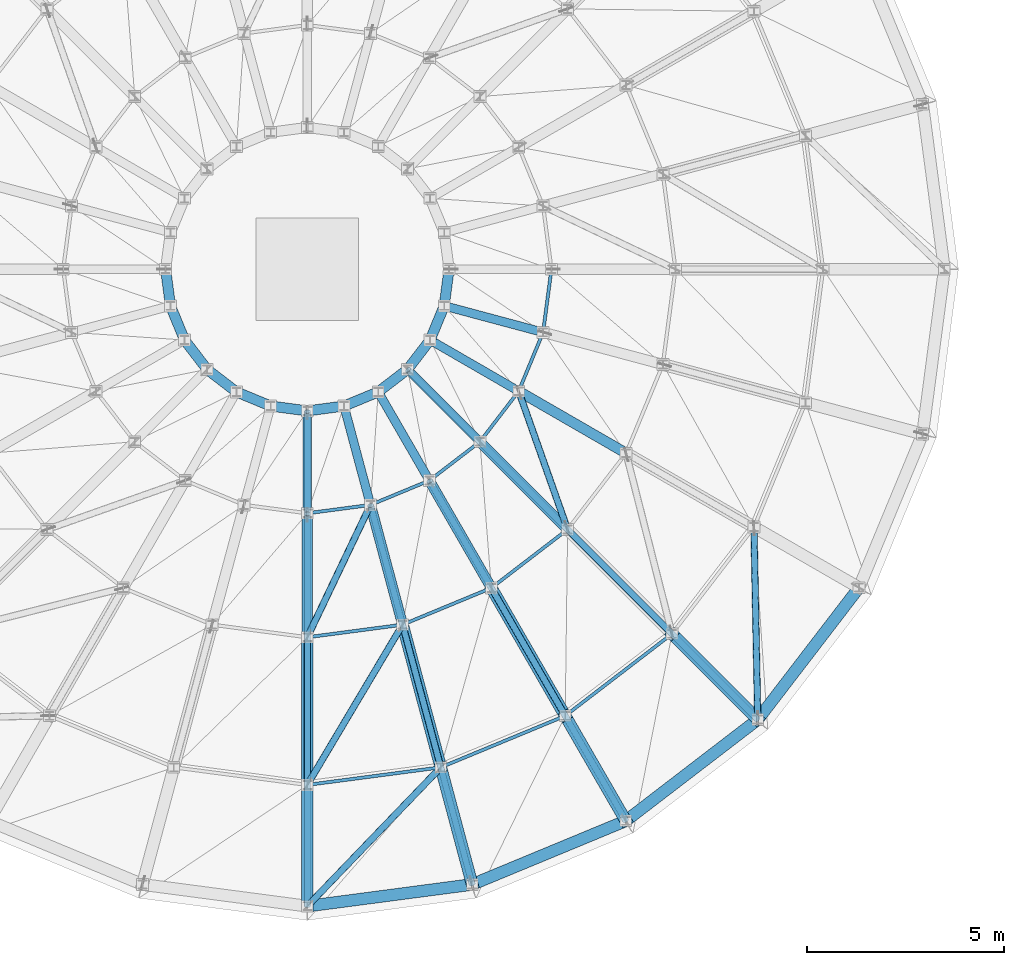
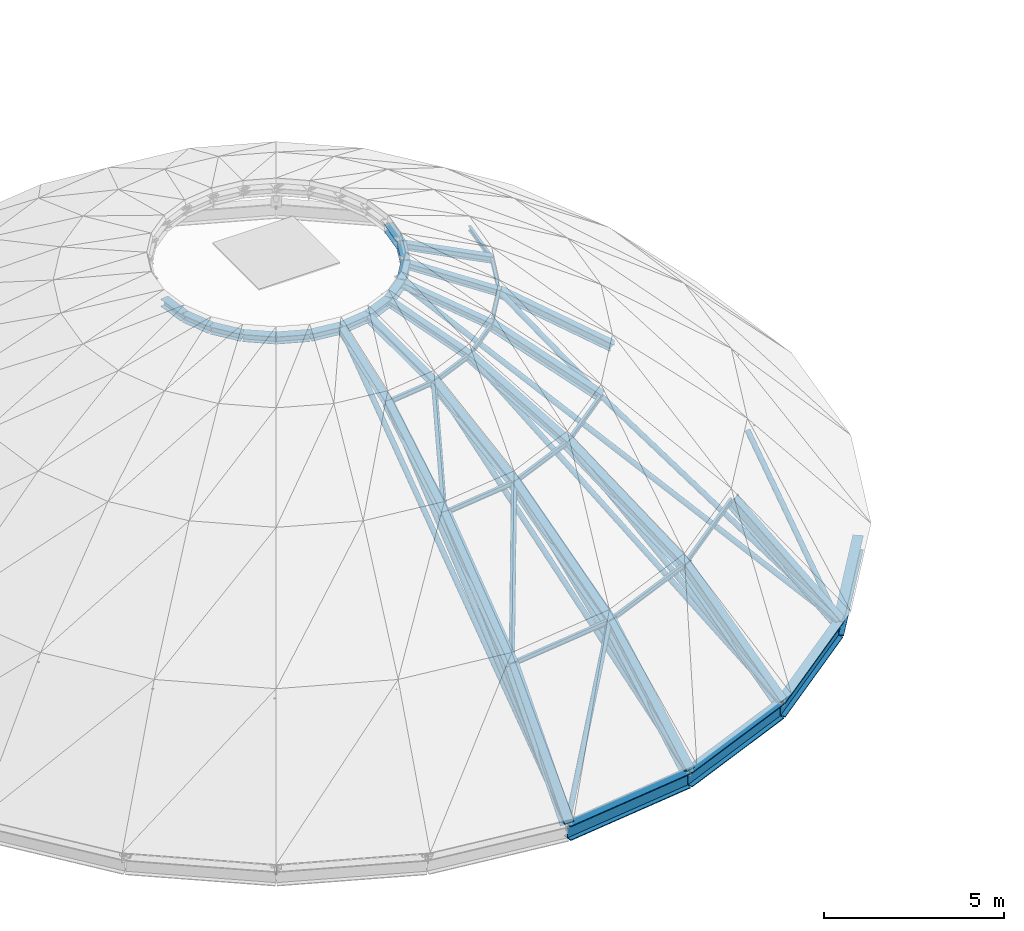
# One storey, part 2 of 19: 34 beams, 26 members.
"""IFC4 building model written with IfcOpenShell, lengths in metres."""

from ifc_helpers import new_model, si_unit, direction, frame, origin, origin_2d, place, context, subcontext, project, spatial, hollow_circle, i_section, extrude, material, material_profile, profile_set, type_object, element, save


model = new_model("IFC4")

# Units and contexts
model_context = context("Model", 3, precision=1e-05, world=origin(), true_north=direction((0.0, 1.0)))
body_context = subcontext(model_context, "Body", "Model", "MODEL_VIEW")
ifc_project = project(units=[si_unit("LENGTHUNIT", "METRE"), si_unit("AREAUNIT", "SQUARE_METRE"), si_unit("VOLUMEUNIT", "CUBIC_METRE"), si_unit("PLANEANGLEUNIT", "RADIAN"), si_unit("MASSUNIT", "GRAM", prefix="KILO")], contexts=[model_context])

# Site, building, storey
site_placement = place(None, origin())
site = spatial("IfcSite", under=ifc_project, at=site_placement, CompositionType="ELEMENT")
building_placement = place(site_placement, origin())
building = spatial("IfcBuilding", under=site, at=building_placement, Name="Montecoro Central Library", CompositionType="ELEMENT")
storey_placement = place(building_placement, frame((0.0, 0.0, 25.5)))
storey = spatial("IfcBuildingStorey", under=building, at=storey_placement, Name="ROOF", CompositionType="ELEMENT", Elevation=25.5)

# Beams
ifc_material_1 = material(Name="Steel S355J2", Category="steel")
ifc_material_profile_1 = material_profile(ifc_material_1, i_section(OverallWidth=0.219970703125, OverallDepth=0.2099609375, WebThickness=0.007080078125, FlangeThickness=0.010986328125, at=origin_2d()), Name="HEA 220")
ifc_profile_set_1 = profile_set([ifc_material_profile_1], Name="Steel S355J2")
beam_type_1 = type_object("IfcBeamType", Name="BM-DR-HEA220", PredefinedType="BEAM", material=ifc_profile_set_1)
beam_1_placement = place(storey_placement, frame((91.60009765625, 29.199951171875, 0.10009765625), z_axis=(0.0, 0.940436305787, 0.339969932139), x_axis=(-1.0, 0.0, 0.0)))
element("IfcBeam", 1, at=beam_1_placement, inside=storey, type_object=beam_type_1, Name="V1-DOME-RIB-19-S4", PredefinedType="BEAM", context=body_context, shape_type="SweptSolid", body=[
    extrude(i_section(OverallWidth=0.219970703125, OverallDepth=0.2099609375, WebThickness=0.007080078125, FlangeThickness=0.010986328125, at=origin_2d()), origin(), (0.0, 0.0, 1.0), 2.764892578125),
])
beam_2_placement = place(storey_placement, frame((93.205078125, 29.410888671875, 0.10009765625), z_axis=(-0.243394349901, 0.908425049142, 0.339886923148), x_axis=(-0.965930453733, -0.25880177463, 0.0)))
element("IfcBeam", 2, at=beam_2_placement, inside=storey, type_object=beam_type_1, Name="V1-DOME-RIB-20-S4", PredefinedType="BEAM", context=body_context, shape_type="SweptSolid", body=[
    extrude(i_section(OverallWidth=0.219970703125, OverallDepth=0.2099609375, WebThickness=0.007080078125, FlangeThickness=0.010986328125, at=origin_2d()), origin(), (0.0, 0.0, 1.0), 2.765380859375),
])
beam_3_placement = place(storey_placement, frame((94.699951171875, 30.031005859375, 0.10009765625), z_axis=(-0.470325390653, 0.814347436961, 0.340047465542), x_axis=(-0.865950948929, -0.500128937424, 0.0)))
element("IfcBeam", 3, at=beam_3_placement, inside=storey, type_object=beam_type_1, Name="V1-DOME-RIB-21-S4", PredefinedType="BEAM", context=body_context, shape_type="SweptSolid", body=[
    extrude(i_section(OverallWidth=0.219970703125, OverallDepth=0.2099609375, WebThickness=0.007080078125, FlangeThickness=0.010986328125, at=origin_2d()), origin(), (0.0, 0.0, 1.0), 2.76416015625),
])
beam_4_placement = place(storey_placement, frame((95.98388671875, 31.01611328125, 0.10009765625), z_axis=(-0.664961450013, 0.664961450013, 0.340077255918), x_axis=(-0.707106781187, -0.707106781187, 0.0)))
element("IfcBeam", 4, at=beam_4_placement, inside=storey, type_object=beam_type_1, Name="V1-DOME-RIB-22-S4", PredefinedType="BEAM", context=body_context, shape_type="SweptSolid", body=[
    extrude(i_section(OverallWidth=0.219970703125, OverallDepth=0.2099609375, WebThickness=0.007080078125, FlangeThickness=0.010986328125, at=origin_2d()), origin(), (0.0, 0.0, 1.0), 2.763916015625),
])
beam_5_placement = place(storey_placement, frame((96.968994140625, 32.300048828125, 0.10009765625), z_axis=(-0.814347436961, 0.470325390653, 0.340047465542), x_axis=(-0.500128937424, -0.865950948929, 0.0)))
element("IfcBeam", 5, at=beam_5_placement, inside=storey, type_object=beam_type_1, Name="V1-DOME-RIB-23-S4", PredefinedType="BEAM", context=body_context, shape_type="SweptSolid", body=[
    extrude(i_section(OverallWidth=0.219970703125, OverallDepth=0.2099609375, WebThickness=0.007080078125, FlangeThickness=0.010986328125, at=origin_2d()), origin(), (0.0, 0.0, 1.0), 2.76416015625),
])
beam_6_placement = place(storey_placement, frame((97.589111328125, 33.794921875, 0.10009765625), z_axis=(-0.908425049142, 0.243394349901, 0.339886923148), x_axis=(-0.25880177463, -0.965930453733, 0.0)))
element("IfcBeam", 6, at=beam_6_placement, inside=storey, type_object=beam_type_1, Name="V1-DOME-RIB-24-S4", PredefinedType="BEAM", context=body_context, shape_type="SweptSolid", body=[
    extrude(i_section(OverallWidth=0.219970703125, OverallDepth=0.2099609375, WebThickness=0.007080078125, FlangeThickness=0.010986328125, at=origin_2d()), origin(), (0.0, 0.0, 1.0), 2.765380859375),
])
ifc_material_profile_2 = material_profile(ifc_material_1, i_section(OverallWidth=0.260009765625, OverallDepth=0.25, WebThickness=0.007568359375, FlangeThickness=0.012451171875, at=origin_2d()), Name="HEA 260")
ifc_profile_set_2 = profile_set([ifc_material_profile_2], Name="Steel S355J2")
beam_type_2 = type_object("IfcBeamType", Name="BM-DR-HEA260", PredefinedType="BEAM", material=ifc_profile_set_2)
beam_7_placement = place(storey_placement, frame((91.60009765625, 26.050048828125, -1.75), z_axis=(0.0, 0.862267330232, 0.506453404782), x_axis=(-1.0, 0.0, 0.0)))
element("IfcBeam", 7, at=beam_7_placement, inside=storey, type_object=beam_type_2, Name="V1-DOME-RIB-19-S3", PredefinedType="BEAM", context=body_context, shape_type="SweptSolid", body=[
    extrude(i_section(OverallWidth=0.260009765625, OverallDepth=0.25, WebThickness=0.007568359375, FlangeThickness=0.012451171875, at=origin_2d()), origin(), (0.0, 0.0, 1.0), 3.653076171875),
])
beam_8_placement = place(storey_placement, frame((94.02001953125, 26.368896484375, -1.75), z_axis=(-0.223119206375, 0.832853598392, 0.506530061687), x_axis=(-0.965938363316, -0.258772251746, 0.0)))
element("IfcBeam", 8, at=beam_8_placement, inside=storey, type_object=beam_type_2, Name="V1-DOME-RIB-20-S3", PredefinedType="BEAM", context=body_context, shape_type="SweptSolid", body=[
    extrude(i_section(OverallWidth=0.260009765625, OverallDepth=0.25, WebThickness=0.007568359375, FlangeThickness=0.012451171875, at=origin_2d()), origin(), (0.0, 0.0, 1.0), 3.652587890625),
])
beam_9_placement = place(storey_placement, frame((96.27490234375, 27.302978515625, -1.75), z_axis=(-0.431122041283, 0.746761384172, 0.506439750247), x_axis=(-0.866035871367, -0.499981869177, 0.0)))
element("IfcBeam", 9, at=beam_9_placement, inside=storey, type_object=beam_type_2, Name="V1-DOME-RIB-21-S3", PredefinedType="BEAM", context=body_context, shape_type="SweptSolid", body=[
    extrude(i_section(OverallWidth=0.260009765625, OverallDepth=0.25, WebThickness=0.007568359375, FlangeThickness=0.012451171875, at=origin_2d()), origin(), (0.0, 0.0, 1.0), 3.653076171875),
])
beam_10_placement = place(storey_placement, frame((98.2109375, 28.7890625, -1.75), z_axis=(-0.609696360037, 0.609696360037, 0.506498467042), x_axis=(-0.707106781187, -0.707106781187, 0.0)))
element("IfcBeam", 10, at=beam_10_placement, inside=storey, type_object=beam_type_2, Name="V1-DOME-RIB-22-S3", PredefinedType="BEAM", context=body_context, shape_type="SweptSolid", body=[
    extrude(i_section(OverallWidth=0.260009765625, OverallDepth=0.25, WebThickness=0.007568359375, FlangeThickness=0.012451171875, at=origin_2d()), origin(), (0.0, 0.0, 1.0), 3.65283203125),
])
beam_11_placement = place(storey_placement, frame((99.697021484375, 30.72509765625, -1.75), z_axis=(-0.746761384172, 0.431122041283, 0.506439750247), x_axis=(-0.499981869177, -0.866035871367, 0.0)))
element("IfcBeam", 11, at=beam_11_placement, inside=storey, type_object=beam_type_2, Name="V1-DOME-RIB-23-S3", PredefinedType="BEAM", context=body_context, shape_type="SweptSolid", body=[
    extrude(i_section(OverallWidth=0.260009765625, OverallDepth=0.25, WebThickness=0.007568359375, FlangeThickness=0.012451171875, at=origin_2d()), origin(), (0.0, 0.0, 1.0), 3.653076171875),
])
ifc_material_profile_3 = material_profile(ifc_material_1, i_section(OverallWidth=0.300048828125, OverallDepth=0.2900390625, WebThickness=0.008544921875, FlangeThickness=0.013916015625, at=origin_2d()), Name="HEA 300")
ifc_profile_set_3 = profile_set([ifc_material_profile_3], Name="Steel S355J2")
beam_type_3 = type_object("IfcBeamType", Name="BM-DR-HEA300", PredefinedType="BEAM", material=ifc_profile_set_3)
beam_12_placement = place(storey_placement, frame((91.60009765625, 22.300048828125, -4.60009765625), z_axis=(0.0, 0.796152205945, 0.605096409648), x_axis=(-1.0, 0.0, 0.0)))
element("IfcBeam", 12, at=beam_12_placement, inside=storey, type_object=beam_type_3, Name="V1-DOME-RIB-19-S2", PredefinedType="BEAM", context=body_context, shape_type="SweptSolid", body=[
    extrude(i_section(OverallWidth=0.300048828125, OverallDepth=0.2900390625, WebThickness=0.008544921875, FlangeThickness=0.013916015625, at=origin_2d()), origin(), (0.0, 0.0, 1.0), 4.710205078125),
])
beam_13_placement = place(storey_placement, frame((94.990966796875, 22.74609375, -4.60009765625), z_axis=(-0.206116210386, 0.769061716348, 0.605029077205), x_axis=(-0.965911147405, -0.25887382123, 0.0)))
element("IfcBeam", 13, at=beam_13_placement, inside=storey, type_object=beam_type_3, Name="V1-DOME-RIB-20-S2", PredefinedType="BEAM", context=body_context, shape_type="SweptSolid", body=[
    extrude(i_section(OverallWidth=0.300048828125, OverallDepth=0.2900390625, WebThickness=0.008544921875, FlangeThickness=0.013916015625, at=origin_2d()), origin(), (0.0, 0.0, 1.0), 4.710693359375),
])
beam_14_placement = place(storey_placement, frame((98.14990234375, 24.054931640625, -4.60009765625), z_axis=(-0.398049787623, 0.689538330018, 0.605056408947), x_axis=(-0.866055506462, -0.499947857008, 0.0)))
element("IfcBeam", 14, at=beam_14_placement, inside=storey, type_object=beam_type_3, Name="V1-DOME-RIB-21-S2", PredefinedType="BEAM", context=body_context, shape_type="SweptSolid", body=[
    extrude(i_section(OverallWidth=0.300048828125, OverallDepth=0.2900390625, WebThickness=0.008544921875, FlangeThickness=0.013916015625, at=origin_2d()), origin(), (0.0, 0.0, 1.0), 4.71044921875),
])
ifc_material_profile_4 = material_profile(ifc_material_1, i_section(OverallWidth=0.300048828125, OverallDepth=0.330078125, WebThickness=0.009521484375, FlangeThickness=0.0166015625, at=origin_2d()), Name="HEA 340")
ifc_profile_set_4 = profile_set([ifc_material_profile_4], Name="Steel S355J2")
beam_type_4 = type_object("IfcBeamType", Name="BM-DR-HEA340", PredefinedType="BEAM", material=ifc_profile_set_4)
for number, where, z_axis, x_axis, name in (
    (15, (91.60009765625, 19.219970703125, -8.159912109375), (0.0, 0.654312299044, 0.756224447714), (-1.0, 0.0, 0.0), "V1-DOME-RIB-19-S1"),
    (16, (95.7880859375, 19.77099609375, -8.159912109375), (-0.169335999822, 0.63201485263, 0.756229161841), (-0.9659303613, -0.258802119616, 0.0), "V1-DOME-RIB-20-S1"),
):
    element("IfcBeam", number, at=place(storey_placement, frame(where, z_axis=z_axis, x_axis=x_axis)), inside=storey, type_object=beam_type_4, Name=name, PredefinedType="BEAM", context=body_context, shape_type="SweptSolid", body=[
        extrude(i_section(OverallWidth=0.300048828125, OverallDepth=0.330078125, WebThickness=0.009521484375, FlangeThickness=0.0166015625, at=origin_2d()), origin(), (0.0, 0.0, 1.0), 4.707275390625),
    ])
beam_15_placement = place(storey_placement, frame((99.68994140625, 21.387939453125, -8.159912109375), z_axis=(-0.327173229869, 0.566588516659, 0.756263929093), x_axis=(-0.865990194147, -0.500060979923, 0.0)))
element("IfcBeam", 17, at=beam_15_placement, inside=storey, type_object=beam_type_4, Name="V1-DOME-RIB-21-S1", PredefinedType="BEAM", context=body_context, shape_type="SweptSolid", body=[
    extrude(i_section(OverallWidth=0.300048828125, OverallDepth=0.330078125, WebThickness=0.009521484375, FlangeThickness=0.0166015625, at=origin_2d()), origin(), (0.0, 0.0, 1.0), 4.70703125),
])
beam_16_placement = place(storey_placement, frame((103.041015625, 23.958984375, -8.159912109375), z_axis=(-0.462672841133, 0.462672841133, 0.756219336011), x_axis=(-0.707106781187, -0.707106781187, 0.0)))
element("IfcBeam", 18, at=beam_16_placement, inside=storey, type_object=beam_type_4, Name="V1-DOME-RIB-22-S1", PredefinedType="BEAM", context=body_context, shape_type="SweptSolid", body=[
    extrude(i_section(OverallWidth=0.300048828125, OverallDepth=0.330078125, WebThickness=0.009521484375, FlangeThickness=0.0166015625, at=origin_2d()), origin(), (0.0, 0.0, 1.0), 4.707275390625),
])
ifc_material_profile_5 = material_profile(ifc_material_1, i_section(OverallWidth=0.260009765625, OverallDepth=0.25, WebThickness=0.007568359375, FlangeThickness=0.012451171875, at=origin_2d()), Name="HEA 260")
ifc_profile_set_5 = profile_set([ifc_material_profile_5], Name="Steel S355J2")
beam_type_5 = type_object("IfcBeamType", Name="BM-RG-HEA260", PredefinedType="USERDEFINED", material=ifc_profile_set_5)
beam_17_placement = place(storey_placement, frame((88.0009765625, 35.389892578125, 1.0400390625), z_axis=(0.131642158522, -0.991297302579, 0.0), x_axis=(0.991297302579, 0.131642158522, 0.0)))
element("IfcBeam", 19, at=beam_17_placement, inside=storey, type_object=beam_type_5, Name="V1-DOME-RNG4-13", ObjectType="GIRDER", PredefinedType="USERDEFINED", context=body_context, shape_type="SweptSolid", body=[
    extrude(i_section(OverallWidth=0.260009765625, OverallDepth=0.25, WebThickness=0.007568359375, FlangeThickness=0.012451171875, at=origin_2d()), origin(), (0.0, 0.0, 1.0), 0.919921875),
])
beam_18_placement = place(storey_placement, frame((88.126953125, 34.458984375, 1.0400390625), z_axis=(0.381710858357, -0.924281786369, 0.0), x_axis=(0.924281786369, 0.381710858357, 0.0)))
element("IfcBeam", 20, at=beam_18_placement, inside=storey, type_object=beam_type_5, Name="V1-DOME-RNG4-14", ObjectType="GIRDER", PredefinedType="USERDEFINED", context=body_context, shape_type="SweptSolid", body=[
    extrude(i_section(OverallWidth=0.260009765625, OverallDepth=0.25, WebThickness=0.007568359375, FlangeThickness=0.012451171875, at=origin_2d()), origin(), (0.0, 0.0, 1.0), 0.919677734375),
])
beam_19_placement = place(storey_placement, frame((88.488037109375, 33.592041015625, 1.0400390625), z_axis=(0.608710038814, -0.79339277073, 0.0), x_axis=(0.79339277073, 0.608710038814, 0.0)))
element("IfcBeam", 21, at=beam_19_placement, inside=storey, type_object=beam_type_5, Name="V1-DOME-RNG4-15", ObjectType="GIRDER", PredefinedType="USERDEFINED", context=body_context, shape_type="SweptSolid", body=[
    extrude(i_section(OverallWidth=0.260009765625, OverallDepth=0.25, WebThickness=0.007568359375, FlangeThickness=0.012451171875, at=origin_2d()), origin(), (0.0, 0.0, 1.0), 0.920166015625),
])
beam_20_placement = place(storey_placement, frame((89.06201171875, 32.847900390625, 1.0400390625), z_axis=(0.793520922999, -0.608542968708, 0.0), x_axis=(0.608542968708, 0.793520922999, 0.0)))
element("IfcBeam", 22, at=beam_20_placement, inside=storey, type_object=beam_type_5, Name="V1-DOME-RNG4-16", ObjectType="GIRDER", PredefinedType="USERDEFINED", context=body_context, shape_type="SweptSolid", body=[
    extrude(i_section(OverallWidth=0.260009765625, OverallDepth=0.25, WebThickness=0.007568359375, FlangeThickness=0.012451171875, at=origin_2d()), origin(), (0.0, 0.0, 1.0), 0.919921875),
])
beam_21_placement = place(storey_placement, frame((89.80908203125, 32.278076171875, 1.0400390625), z_axis=(0.924243095854, -0.381804530835, 0.0), x_axis=(0.381804530835, 0.924243095854, 0.0)))
element("IfcBeam", 23, at=beam_21_placement, inside=storey, type_object=beam_type_5, Name="V1-DOME-RNG4-17", ObjectType="GIRDER", PredefinedType="USERDEFINED", context=body_context, shape_type="SweptSolid", body=[
    extrude(i_section(OverallWidth=0.260009765625, OverallDepth=0.25, WebThickness=0.007568359375, FlangeThickness=0.012451171875, at=origin_2d()), origin(), (0.0, 0.0, 1.0), 0.91943359375),
])
beam_22_placement = place(storey_placement, frame((90.677978515625, 31.922119140625, 1.0400390625), z_axis=(0.991301900187, -0.131607532787, 0.0), x_axis=(0.131607532787, 0.991301900187, 0.0)))
element("IfcBeam", 24, at=beam_22_placement, inside=storey, type_object=beam_type_5, Name="V1-DOME-RNG4-18", ObjectType="GIRDER", PredefinedType="USERDEFINED", context=body_context, shape_type="SweptSolid", body=[
    extrude(i_section(OverallWidth=0.260009765625, OverallDepth=0.25, WebThickness=0.007568359375, FlangeThickness=0.012451171875, at=origin_2d()), origin(), (0.0, 0.0, 1.0), 0.920166015625),
])
beam_23_placement = place(storey_placement, frame((91.610107421875, 31.801025390625, 1.0400390625), z_axis=(0.991297302579, 0.131642158522, 0.0), x_axis=(-0.131642158522, 0.991297302579, 0.0)))
element("IfcBeam", 25, at=beam_23_placement, inside=storey, type_object=beam_type_5, Name="V1-DOME-RNG4-19", ObjectType="GIRDER", PredefinedType="USERDEFINED", context=body_context, shape_type="SweptSolid", body=[
    extrude(i_section(OverallWidth=0.260009765625, OverallDepth=0.25, WebThickness=0.007568359375, FlangeThickness=0.012451171875, at=origin_2d()), origin(), (0.0, 0.0, 1.0), 0.919921875),
])
beam_24_placement = place(storey_placement, frame((92.541015625, 31.927001953125, 1.0400390625), z_axis=(0.924281786369, 0.381710858357, 0.0), x_axis=(-0.381710858357, 0.924281786369, 0.0)))
element("IfcBeam", 26, at=beam_24_placement, inside=storey, type_object=beam_type_5, Name="V1-DOME-RNG4-20", ObjectType="GIRDER", PredefinedType="USERDEFINED", context=body_context, shape_type="SweptSolid", body=[
    extrude(i_section(OverallWidth=0.260009765625, OverallDepth=0.25, WebThickness=0.007568359375, FlangeThickness=0.012451171875, at=origin_2d()), origin(), (0.0, 0.0, 1.0), 0.919677734375),
])
for number, where, z_axis, x_axis, name in (
    (27, (93.407958984375, 32.2880859375, 1.0400390625), (0.793520922999, 0.608542968708, 0.0), (-0.608542968708, 0.793520922999, 0.0), "V1-DOME-RNG4-21"),
    (28, (94.152099609375, 32.862060546875, 1.0400390625), (0.608542968708, 0.793520922999, 0.0), (-0.793520922999, 0.608542968708, 0.0), "V1-DOME-RNG4-22"),
):
    element("IfcBeam", number, at=place(storey_placement, frame(where, z_axis=z_axis, x_axis=x_axis)), inside=storey, type_object=beam_type_5, Name=name, ObjectType="GIRDER", PredefinedType="USERDEFINED", context=body_context, shape_type="SweptSolid", body=[
        extrude(i_section(OverallWidth=0.260009765625, OverallDepth=0.25, WebThickness=0.007568359375, FlangeThickness=0.012451171875, at=origin_2d()), origin(), (0.0, 0.0, 1.0), 0.919921875),
    ])
beam_25_placement = place(storey_placement, frame((94.721923828125, 33.60888671875, 1.0400390625), z_axis=(0.381710858357, 0.924281786369, 0.0), x_axis=(-0.924281786369, 0.381710858357, 0.0)))
element("IfcBeam", 29, at=beam_25_placement, inside=storey, type_object=beam_type_5, Name="V1-DOME-RNG4-23", ObjectType="GIRDER", PredefinedType="USERDEFINED", context=body_context, shape_type="SweptSolid", body=[
    extrude(i_section(OverallWidth=0.260009765625, OverallDepth=0.25, WebThickness=0.007568359375, FlangeThickness=0.012451171875, at=origin_2d()), origin(), (0.0, 0.0, 1.0), 0.919677734375),
])
beam_26_placement = place(storey_placement, frame((95.077880859375, 34.47802734375, 1.0400390625), z_axis=(0.131642158522, 0.991297302579, 0.0), x_axis=(-0.991297302579, 0.131642158522, 0.0)))
element("IfcBeam", 30, at=beam_26_placement, inside=storey, type_object=beam_type_5, Name="V1-DOME-RNG4-24", ObjectType="GIRDER", PredefinedType="USERDEFINED", context=body_context, shape_type="SweptSolid", body=[
    extrude(i_section(OverallWidth=0.260009765625, OverallDepth=0.25, WebThickness=0.007568359375, FlangeThickness=0.012451171875, at=origin_2d()), origin(), (0.0, 0.0, 1.0), 0.919921875),
])
ifc_material_profile_6 = material_profile(ifc_material_1, i_section(OverallWidth=0.300048828125, OverallDepth=0.5, WebThickness=0.014404296875, FlangeThickness=0.028076171875, at=origin_2d()), Name="HEB 500")
ifc_profile_set_6 = profile_set([ifc_material_profile_6], Name="Steel S355J2")
beam_type_6 = type_object("IfcBeamType", Name="BM-RG-HEB500", PredefinedType="USERDEFINED", material=ifc_profile_set_6)
beam_27_placement = place(storey_placement, frame((91.610107421875, 19.220947265625, -8.409912109375), z_axis=(0.99143412197, 0.130607740177, 0.0), x_axis=(-0.130607740177, 0.99143412197, 0.0)))
element("IfcBeam", 31, at=beam_27_placement, inside=storey, type_object=beam_type_6, Name="V1-L03-RING-19", ObjectType="GIRDER", PredefinedType="USERDEFINED", context=body_context, shape_type="SweptSolid", body=[
    extrude(i_section(OverallWidth=0.300048828125, OverallDepth=0.5, WebThickness=0.014404296875, FlangeThickness=0.028076171875, at=origin_2d()), origin(), (0.0, 0.0, 1.0), 4.2041015625),
])
beam_28_placement = place(storey_placement, frame((95.797119140625, 19.77490234375, -8.409912109375), z_axis=(0.923844815714, 0.382767235377, 0.0), x_axis=(-0.382767235377, 0.923844815714, 0.0)))
element("IfcBeam", 32, at=beam_28_placement, inside=storey, type_object=beam_type_6, Name="V1-L03-RING-20", ObjectType="GIRDER", PredefinedType="USERDEFINED", context=body_context, shape_type="SweptSolid", body=[
    extrude(i_section(OverallWidth=0.300048828125, OverallDepth=0.5, WebThickness=0.014404296875, FlangeThickness=0.028076171875, at=origin_2d()), origin(), (0.0, 0.0, 1.0), 4.203857421875),
])
for number, where, z_axis, x_axis, name in (
    (33, (99.697998046875, 21.39404296875, -8.409912109375), (0.793372600918, 0.608736327249, 0.0), (-0.608736327249, 0.793372600918, 0.0), "V1-L03-RING-21"),
    (34, (103.047119140625, 23.967041015625, -8.409912109375), (0.608736327249, 0.793372600918, 0.0), (-0.793372600918, 0.608736327249, 0.0), "V1-L03-RING-22"),
):
    element("IfcBeam", number, at=place(storey_placement, frame(where, z_axis=z_axis, x_axis=x_axis)), inside=storey, type_object=beam_type_6, Name=name, ObjectType="GIRDER", PredefinedType="USERDEFINED", context=body_context, shape_type="SweptSolid", body=[
        extrude(i_section(OverallWidth=0.300048828125, OverallDepth=0.5, WebThickness=0.014404296875, FlangeThickness=0.028076171875, at=origin_2d()), origin(), (0.0, 0.0, 1.0), 4.20361328125),
    ])

# Members
ifc_material_2 = material(Name="Steel S355", Category="steel")
ifc_material_profile_7 = material_profile(ifc_material_2, hollow_circle(Radius=0.084228515625, WallThickness=0.008056640625, at=origin_2d()), Name="CHS 168.3x8.0")
ifc_profile_set_7 = profile_set([ifc_material_profile_7], Name="Steel S355")
member_type_1 = type_object("IfcMemberType", Name="MB-BR-CHS168", PredefinedType="BRACE", material=ifc_profile_set_7)
member_1_placement = place(storey_placement, frame((91.60595703125, 19.22607421875, -8.154052734375), z_axis=(0.560433355425, 0.582784284707, 0.588452998655), x_axis=(-0.720793608359, 0.693149748718, 0.0)))
element("IfcMember", 35, at=member_1_placement, inside=storey, type_object=member_type_1, Name="V1-DOME-BR-B7-S1", PredefinedType="BRACE", context=body_context, shape_type="SweptSolid", body=[
    extrude(hollow_circle(Radius=0.084228515625, WallThickness=0.008056640625, at=origin_2d()), origin(), (0.0, 0.0, 1.0), 6.029541015625),
])
member_2_placement = place(storey_placement, frame((91.60400390625, 22.306884765625, -4.594970703125), z_axis=(0.4379950771, 0.736345974761, 0.515708171246), x_axis=(-0.859449870352, 0.511220031251, 0.0)))
element("IfcMember", 36, at=member_2_placement, inside=storey, type_object=member_type_1, Name="V1-DOME-BR-B7-S2", PredefinedType="BRACE", context=body_context, shape_type="SweptSolid", body=[
    extrude(hollow_circle(Radius=0.084228515625, WallThickness=0.008056640625, at=origin_2d()), origin(), (0.0, 0.0, 1.0), 5.507080078125),
])
member_3_placement = place(storey_placement, frame((91.60400390625, 26.05810546875, -1.74609375), z_axis=(0.38581470495, 0.808140540058, 0.445034696354), x_axis=(-0.902432733929, 0.430830779697, 0.0)))
element("IfcMember", 37, at=member_3_placement, inside=storey, type_object=member_type_1, Name="V1-DOME-BR-B7-S3", PredefinedType="BRACE", context=body_context, shape_type="SweptSolid", body=[
    extrude(hollow_circle(Radius=0.084228515625, WallThickness=0.008056640625, at=origin_2d()), origin(), (0.0, 0.0, 1.0), 4.13916015625),
])
member_4_placement = place(storey_placement, frame((103.041015625, 23.967041015625, -8.154052734375), z_axis=(-0.015911015125, 0.808425318114, 0.588383671281), x_axis=(-0.999806375718, -0.01967767957, 0.0)))
element("IfcMember", 38, at=member_4_placement, inside=storey, type_object=member_type_1, Name="V1-DOME-BR-B8-S1", PredefinedType="BRACE", context=body_context, shape_type="SweptSolid", body=[
    extrude(hollow_circle(Radius=0.084228515625, WallThickness=0.008056640625, at=origin_2d()), origin(), (0.0, 0.0, 1.0), 6.0302734375),
])
member_5_placement = place(storey_placement, frame((98.2080078125, 28.797119140625, -1.74609375), z_axis=(-0.298609722475, 0.844281686201, 0.444995132545), x_axis=(-0.94277005741, -0.333443576714, 0.0)))
element("IfcMember", 39, at=member_5_placement, inside=storey, type_object=member_type_1, Name="V1-DOME-BR-B8-S3", PredefinedType="BRACE", context=body_context, shape_type="SweptSolid", body=[
    extrude(hollow_circle(Radius=0.084228515625, WallThickness=0.008056640625, at=origin_2d()), origin(), (0.0, 0.0, 1.0), 4.139404296875),
])
member_6_placement = place(storey_placement, frame((91.60009765625, 19.235107421875, -8.14599609375), z_axis=(0.0, 0.729148477496, 0.68435553462), x_axis=(-1.0, 0.0, 0.0)))
element("IfcMember", 40, at=member_6_placement, inside=storey, type_object=member_type_1, Name="V1-DOME-SPK-R2-19", PredefinedType="BRACE", context=body_context, shape_type="SweptSolid", body=[
    extrude(hollow_circle(Radius=0.084228515625, WallThickness=0.008056640625, at=origin_2d()), origin(), (0.0, 0.0, 1.0), 9.32568359375),
])
member_7_placement = place(storey_placement, frame((91.60009765625, 19.235107421875, -8.14697265625), z_axis=(0.0, 0.770415452157, 0.637542179842), x_axis=(-1.0, 0.0, 0.0)))
element("IfcMember", 41, at=member_7_placement, inside=storey, type_object=member_type_1, Name="V1-DOME-SPK-R3-19", PredefinedType="BRACE", context=body_context, shape_type="SweptSolid", body=[
    extrude(hollow_circle(Radius=0.084228515625, WallThickness=0.008056640625, at=origin_2d()), origin(), (0.0, 0.0, 1.0), 12.9150390625),
])
member_8_placement = place(storey_placement, frame((91.60009765625, 19.236083984375, -8.14794921875), z_axis=(0.0, 0.80719367696, 0.590286682787), x_axis=(-1.0, 0.0, 0.0)))
element("IfcMember", 42, at=member_8_placement, inside=storey, type_object=member_type_1, Name="V1-DOME-SPK-R4-19", PredefinedType="BRACE", context=body_context, shape_type="SweptSolid", body=[
    extrude(hollow_circle(Radius=0.084228515625, WallThickness=0.008056640625, at=origin_2d()), origin(), (0.0, 0.0, 1.0), 15.544921875),
])
member_9_placement = place(storey_placement, frame((95.783935546875, 19.784912109375, -8.14599609375), z_axis=(-0.188698949334, 0.704408021298, 0.684252910882), x_axis=(-0.96594180369, -0.258759409268, 0.0)))
element("IfcMember", 43, at=member_9_placement, inside=storey, type_object=member_type_1, Name="V1-DOME-SPK-R2-20", PredefinedType="BRACE", context=body_context, shape_type="SweptSolid", body=[
    extrude(hollow_circle(Radius=0.084228515625, WallThickness=0.008056640625, at=origin_2d()), origin(), (0.0, 0.0, 1.0), 9.3271484375),
])
member_10_placement = place(storey_placement, frame((95.783935546875, 19.785888671875, -8.14697265625), z_axis=(-0.199386226029, 0.744139567193, 0.637574652419), x_axis=(-0.965927568913, -0.258812541456, 0.0)))
element("IfcMember", 44, at=member_10_placement, inside=storey, type_object=member_type_1, Name="V1-DOME-SPK-R3-20", PredefinedType="BRACE", context=body_context, shape_type="SweptSolid", body=[
    extrude(hollow_circle(Radius=0.084228515625, WallThickness=0.008056640625, at=origin_2d()), origin(), (0.0, 0.0, 1.0), 12.914306640625),
])
member_11_placement = place(storey_placement, frame((99.68310546875, 21.40087890625, -8.14599609375), z_axis=(-0.364678925684, 0.631453954874, 0.684306352474), x_axis=(-0.865960779765, -0.500111915384, 0.0)))
element("IfcMember", 45, at=member_11_placement, inside=storey, type_object=member_type_1, Name="V1-DOME-SPK-R2-21", PredefinedType="BRACE", context=body_context, shape_type="SweptSolid", body=[
    extrude(hollow_circle(Radius=0.084228515625, WallThickness=0.008056640625, at=origin_2d()), origin(), (0.0, 0.0, 1.0), 9.326416015625),
])
member_12_placement = place(storey_placement, frame((99.681884765625, 21.40087890625, -8.14697265625), z_axis=(-0.38512976695, 0.667233115116, 0.637553944934), x_axis=(-0.866080172082, -0.499905126525, 0.0)))
element("IfcMember", 46, at=member_12_placement, inside=storey, type_object=member_type_1, Name="V1-DOME-SPK-R3-21", PredefinedType="BRACE", context=body_context, shape_type="SweptSolid", body=[
    extrude(hollow_circle(Radius=0.084228515625, WallThickness=0.008056640625, at=origin_2d()), origin(), (0.0, 0.0, 1.0), 12.914794921875),
])
member_13_placement = place(storey_placement, frame((103.031005859375, 23.968994140625, -8.14599609375), z_axis=(-0.515679746126, 0.515679746126, 0.684214000786), x_axis=(-0.707106781187, -0.707106781187, 0.0)))
element("IfcMember", 47, at=member_13_placement, inside=storey, type_object=member_type_1, Name="V1-DOME-SPK-R2-22", PredefinedType="BRACE", context=body_context, shape_type="SweptSolid", body=[
    extrude(hollow_circle(Radius=0.084228515625, WallThickness=0.008056640625, at=origin_2d()), origin(), (0.0, 0.0, 1.0), 9.32763671875),
])
member_14_placement = place(storey_placement, frame((103.030029296875, 23.969970703125, -8.14794921875), z_axis=(-0.570780549101, 0.570780549101, 0.590270386803), x_axis=(-0.707106781187, -0.707106781187, 0.0)))
element("IfcMember", 48, at=member_14_placement, inside=storey, type_object=member_type_1, Name="V1-DOME-SPK-R4-22", PredefinedType="BRACE", context=body_context, shape_type="SweptSolid", body=[
    extrude(hollow_circle(Radius=0.084228515625, WallThickness=0.008056640625, at=origin_2d()), origin(), (0.0, 0.0, 1.0), 15.54541015625),
])
ifc_material_profile_8 = material_profile(ifc_material_2, i_section(OverallWidth=0.08203125, OverallDepth=0.159912109375, WebThickness=0.0048828125, FlangeThickness=0.00732421875, at=origin_2d()), Name="IPE 160")
ifc_profile_set_8 = profile_set([ifc_material_profile_8], Name="Steel S355")
member_type_2 = type_object("IfcMemberType", Name="MB-PR-IPE160", PredefinedType="PURLIN", material=ifc_profile_set_8)
for number, where, z_axis, x_axis, name in (
    (49, (91.610107421875, 22.301025390625, -4.60009765625), (0.991433019031, 0.130616112234, 0.0), (-0.130616112234, 0.991433019031, 0.0), "V1-DOME-RNG1-19"),
    (50, (95.0, 22.75, -4.60009765625), (0.92388643014, 0.382666779591, 0.0), (-0.382666779591, 0.92388643014, 0.0), "V1-DOME-RNG1-20"),
    (51, (98.157958984375, 24.06103515625, -4.60009765625), (0.79327222257, 0.6088671291, 0.0), (-0.6088671291, 0.79327222257, 0.0), "V1-DOME-RNG1-21"),
):
    element("IfcMember", number, at=place(storey_placement, frame(where, z_axis=z_axis, x_axis=x_axis)), inside=storey, type_object=member_type_2, Name=name, PredefinedType="PURLIN", context=body_context, shape_type="SweptSolid", body=[
        extrude(i_section(OverallWidth=0.08203125, OverallDepth=0.159912109375, WebThickness=0.0048828125, FlangeThickness=0.00732421875, at=origin_2d()), origin(), (0.0, 0.0, 1.0), 3.39990234375),
    ])
member_15_placement = place(storey_placement, frame((91.610107421875, 26.051025390625, -1.75), z_axis=(0.991394461908, 0.130908444716, 0.0), x_axis=(-0.130908444716, 0.991394461908, 0.0)))
element("IfcMember", 52, at=member_15_placement, inside=storey, type_object=member_type_2, Name="V1-DOME-RNG2-19", PredefinedType="PURLIN", context=body_context, shape_type="SweptSolid", body=[
    extrude(i_section(OverallWidth=0.08203125, OverallDepth=0.159912109375, WebThickness=0.0048828125, FlangeThickness=0.00732421875, at=origin_2d()), origin(), (0.0, 0.0, 1.0), 2.420654296875),
])
member_16_placement = place(storey_placement, frame((94.029052734375, 26.373046875, -1.75), z_axis=(0.923966457253, 0.382473510025, 0.0), x_axis=(-0.382473510025, 0.923966457253, 0.0)))
element("IfcMember", 53, at=member_16_placement, inside=storey, type_object=member_type_2, Name="V1-DOME-RNG2-20", PredefinedType="PURLIN", context=body_context, shape_type="SweptSolid", body=[
    extrude(i_section(OverallWidth=0.08203125, OverallDepth=0.159912109375, WebThickness=0.0048828125, FlangeThickness=0.00732421875, at=origin_2d()), origin(), (0.0, 0.0, 1.0), 2.421142578125),
])
member_17_placement = place(storey_placement, frame((96.282958984375, 27.30908203125, -1.75), z_axis=(0.793219814168, 0.608935404137, 0.0), x_axis=(-0.608935404137, 0.793219814168, 0.0)))
element("IfcMember", 54, at=member_17_placement, inside=storey, type_object=member_type_2, Name="V1-DOME-RNG2-21", PredefinedType="PURLIN", context=body_context, shape_type="SweptSolid", body=[
    extrude(i_section(OverallWidth=0.08203125, OverallDepth=0.159912109375, WebThickness=0.0048828125, FlangeThickness=0.00732421875, at=origin_2d()), origin(), (0.0, 0.0, 1.0), 2.42041015625),
])
for number, where, z_axis, x_axis, name in (
    (55, (91.610107421875, 29.200927734375, 0.10009765625), (0.991418913515, 0.130723134622, 0.0), (-0.130723134622, 0.991418913515, 0.0), "V1-DOME-RNG3-19"),
    (56, (93.214111328125, 29.4150390625, 0.10009765625), (0.923802724827, 0.382868809909, 0.0), (-0.382868809909, 0.923802724827, 0.0), "V1-DOME-RNG3-20"),
):
    element("IfcMember", number, at=place(storey_placement, frame(where, z_axis=z_axis, x_axis=x_axis)), inside=storey, type_object=member_type_2, Name=name, PredefinedType="PURLIN", context=body_context, shape_type="SweptSolid", body=[
        extrude(i_section(OverallWidth=0.08203125, OverallDepth=0.159912109375, WebThickness=0.0048828125, FlangeThickness=0.00732421875, at=origin_2d()), origin(), (0.0, 0.0, 1.0), 1.5986328125),
    ])
for number, where, z_axis, x_axis, name in (
    (57, (94.7080078125, 30.037109375, 0.10009765625), (0.793389958062, 0.608713704828, 0.0), (-0.608713704828, 0.793389958062, 0.0), "V1-DOME-RNG3-21"),
    (58, (95.989990234375, 31.02392578125, 0.10009765625), (0.608713704828, 0.793389958062, 0.0), (-0.793389958062, 0.608713704828, 0.0), "V1-DOME-RNG3-22"),
):
    element("IfcMember", number, at=place(storey_placement, frame(where, z_axis=z_axis, x_axis=x_axis)), inside=storey, type_object=member_type_2, Name=name, PredefinedType="PURLIN", context=body_context, shape_type="SweptSolid", body=[
        extrude(i_section(OverallWidth=0.08203125, OverallDepth=0.159912109375, WebThickness=0.0048828125, FlangeThickness=0.00732421875, at=origin_2d()), origin(), (0.0, 0.0, 1.0), 1.598388671875),
    ])
for number, where, z_axis, x_axis, name in (
    (59, (96.972900390625, 32.30908203125, 0.10009765625), (0.382868809909, 0.923802724827, 0.0), (-0.923802724827, 0.382868809909, 0.0), "V1-DOME-RNG3-23"),
    (60, (97.590087890625, 33.804931640625, 0.10009765625), (0.130723134622, 0.991418913515, 0.0), (-0.991418913515, 0.130723134622, 0.0), "V1-DOME-RNG3-24"),
):
    element("IfcMember", number, at=place(storey_placement, frame(where, z_axis=z_axis, x_axis=x_axis)), inside=storey, type_object=member_type_2, Name=name, PredefinedType="PURLIN", context=body_context, shape_type="SweptSolid", body=[
        extrude(i_section(OverallWidth=0.08203125, OverallDepth=0.159912109375, WebThickness=0.0048828125, FlangeThickness=0.00732421875, at=origin_2d()), origin(), (0.0, 0.0, 1.0), 1.5986328125),
    ])

save(model, "model.ifc")
